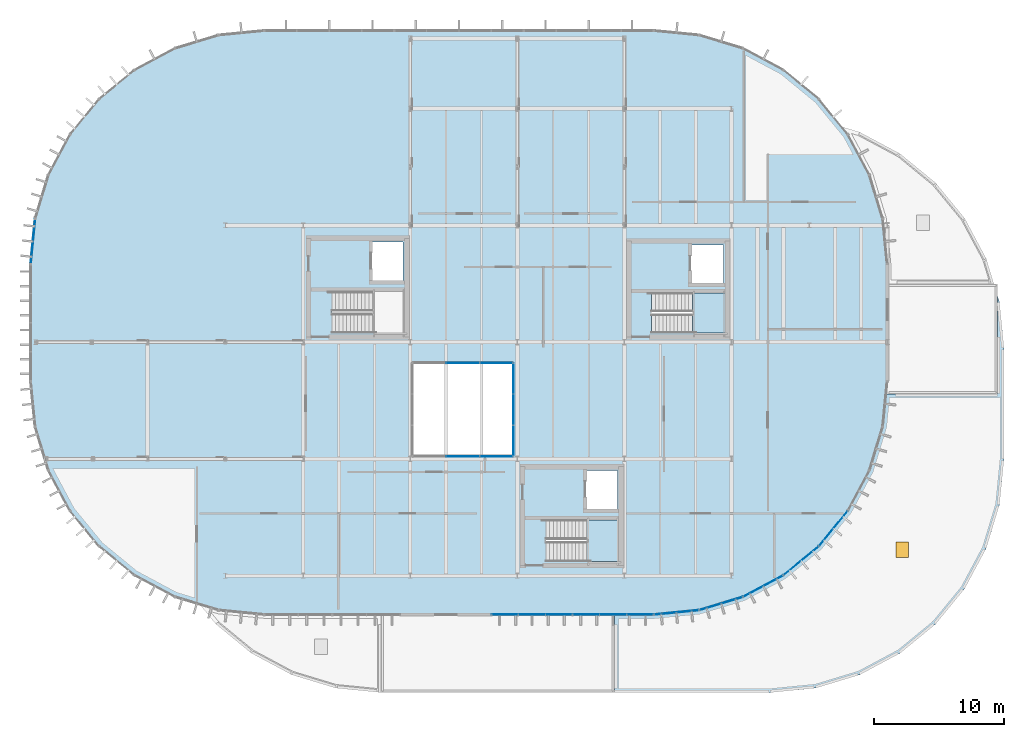
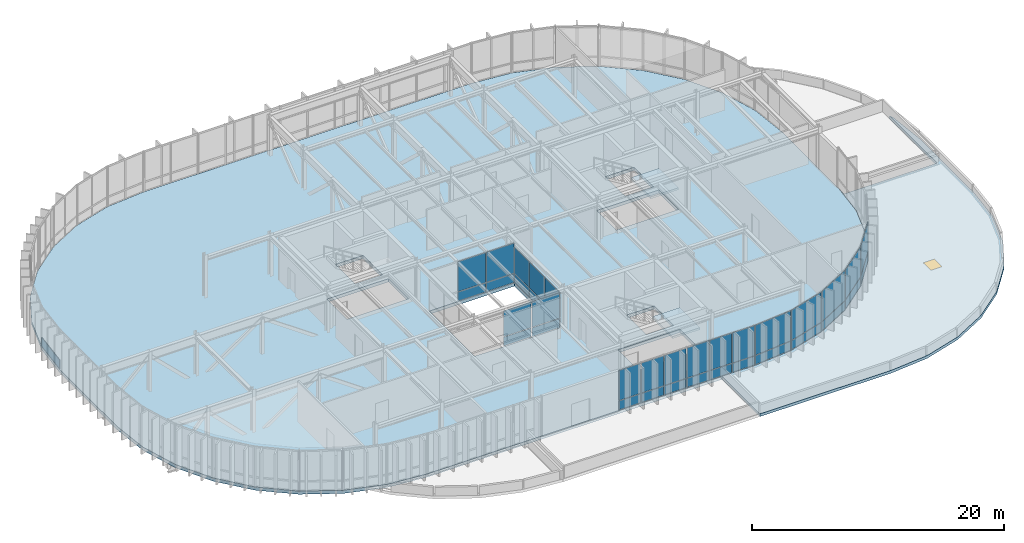
# One storey, part 17 of 29: 37 plates, 4 slabs, 1 door, 7 openings, 14 elements without a shape of their own.
"""IFC4 building model written with IfcOpenShell, lengths in metres."""

from ifc_helpers import new_model, si_unit, direction, frame, origin, origin_2d, place, context, subcontext, project, spatial, polyline, rectangle, outline, extrude, material, layer, layer_set, type_object, element, fill, aggregate, save


model = new_model("IFC4")

# Units and contexts
model_context = context("Model", 3, precision=1e-05, world=origin(), true_north=direction((0.0, 1.0)))
body_context = subcontext(model_context, "Body", "Model", "MODEL_VIEW")
ifc_project = project(units=[si_unit("LENGTHUNIT", "METRE"), si_unit("AREAUNIT", "SQUARE_METRE"), si_unit("VOLUMEUNIT", "CUBIC_METRE"), si_unit("PLANEANGLEUNIT", "RADIAN"), si_unit("MASSUNIT", "GRAM", prefix="KILO")], contexts=[model_context])

# Site, building, storey
site_placement = place(None, origin())
site = spatial("IfcSite", under=ifc_project, at=site_placement, CompositionType="ELEMENT")
building_placement = place(site_placement, origin())
building = spatial("IfcBuilding", under=site, at=building_placement, Name="Montealbar Specialist Clinic", CompositionType="ELEMENT")
storey_placement = place(building_placement, frame((0.0, 0.0, 22.199951171875)))
storey = spatial("IfcBuildingStorey", under=building, at=storey_placement, Name="L05", CompositionType="ELEMENT", Elevation=22.199951171875)

# Curtain wall, plates
ifc_material_1 = material(Name="Low-E double glazing", Category="glass")
ifc_layer_1 = layer(ifc_material_1, 0.199951171875, Name="Low-E double glazing", Category="glass")
ifc_layer_set_1 = layer_set([ifc_layer_1], Name="Low-E double glazing")
curtain_wall_type_1 = type_object("IfcCurtainWallType", Name="CW-TYPE-26", PredefinedType="NOTDEFINED", material=ifc_layer_set_1)
curtain_wall_1_placement = place(storey_placement, origin())
curtain_wall_1 = element("IfcCurtainWall", 1, at=curtain_wall_1_placement, inside=storey, type_object=curtain_wall_type_1, Name="Unitised Curtain Wall CW-L05-744-182-822-182-222", PredefinedType="NOTDEFINED")
ifc_layer_2 = layer(ifc_material_1, 0.028076171875, Name="Low-E double glazing", Category="glass")
ifc_layer_set_2 = layer_set([ifc_layer_2], Name="Low-E double glazing")
plate_type_1 = type_object("IfcPlateType", Name="CW-PNL-IGU28", PredefinedType="CURTAIN_PANEL", material=ifc_layer_set_2)
plate_1_placement = place(storey_placement, frame((78.300048828125, 18.199951171875, 0.070068359375), z_axis=(0.0, 0.0, 1.0), x_axis=(1.0, 0.0, 0.0)))
plate_1 = element("IfcPlate", 2, at=plate_1_placement, type_object=plate_type_1, Name="Glazed Curtain Panel CW-L05-744-182-822-182-222-2-1", PredefinedType="CURTAIN_PANEL", context=body_context, shape_type="SweptSolid", body=[
    extrude(rectangle(XDim=2.528076171875, YDim=0.028076171875, at=origin_2d()), origin(), (0.0, 0.0, 1.0), 0.85009765625),
])
plate_2_placement = place(storey_placement, frame((78.300048828125, 18.199951171875, 0.97998046875), z_axis=(0.0, 0.0, 1.0), x_axis=(1.0, 0.0, 0.0)))
plate_2 = element("IfcPlate", 3, at=plate_2_placement, type_object=plate_type_1, Name="Glazed Curtain Panel CW-L05-744-182-822-182-222-2-2", PredefinedType="CURTAIN_PANEL", context=body_context, shape_type="SweptSolid", body=[
    extrude(rectangle(XDim=2.528076171875, YDim=0.028076171875, at=origin_2d()), origin(), (0.0, 0.0, 1.0), 2.489990234375),
])
plate_3_placement = place(storey_placement, frame((80.89990234375, 18.199951171875, 0.070068359375), z_axis=(0.0, 0.0, 1.0), x_axis=(1.0, 0.0, 0.0)))
plate_3 = element("IfcPlate", 4, at=plate_3_placement, type_object=plate_type_1, Name="Glazed Curtain Panel CW-L05-744-182-822-182-222-3-1", PredefinedType="CURTAIN_PANEL", context=body_context, shape_type="SweptSolid", body=[
    extrude(rectangle(XDim=2.528076171875, YDim=0.028076171875, at=origin_2d()), origin(), (0.0, 0.0, 1.0), 0.85009765625),
])
plate_4_placement = place(storey_placement, frame((80.89990234375, 18.199951171875, 0.97998046875), z_axis=(0.0, 0.0, 1.0), x_axis=(1.0, 0.0, 0.0)))
plate_4 = element("IfcPlate", 5, at=plate_4_placement, type_object=plate_type_1, Name="Glazed Curtain Panel CW-L05-744-182-822-182-222-3-2", PredefinedType="CURTAIN_PANEL", context=body_context, shape_type="SweptSolid", body=[
    extrude(rectangle(XDim=2.528076171875, YDim=0.028076171875, at=origin_2d()), origin(), (0.0, 0.0, 1.0), 2.489990234375),
])
aggregate(curtain_wall_1, [plate_1, plate_2, plate_3, plate_4])

ifc_layer_3 = layer(ifc_material_1, 0.199951171875, Name="Low-E double glazing", Category="glass")
ifc_layer_set_3 = layer_set([ifc_layer_3], Name="Low-E double glazing")
curtain_wall_type_2 = type_object("IfcCurtainWallType", Name="CW-TYPE-41", PredefinedType="NOTDEFINED", material=ifc_layer_set_3)
curtain_wall_2_placement = place(storey_placement, origin())
curtain_wall_2 = element("IfcCurtainWall", 6, at=curtain_wall_2_placement, inside=storey, type_object=curtain_wall_type_2, Name="Unitised Curtain Wall CW-L05-822-182-822-254-222", PredefinedType="NOTDEFINED")
plate_5_placement = place(storey_placement, frame((82.199951171875, 19.39990234375, 0.070068359375), z_axis=(0.0, 0.0, 1.0), x_axis=(0.0, 1.0, 0.0)))
plate_5 = element("IfcPlate", 7, at=plate_5_placement, type_object=plate_type_1, Name="Glazed Curtain Panel CW-L05-822-182-822-254-222-1-1", PredefinedType="CURTAIN_PANEL", context=body_context, shape_type="SweptSolid", body=[
    extrude(rectangle(XDim=2.327880859375, YDim=0.028076171875, at=origin_2d()), origin(), (0.0, 0.0, 1.0), 0.85009765625),
])
plate_6_placement = place(storey_placement, frame((82.199951171875, 19.39990234375, 0.97998046875), z_axis=(0.0, 0.0, 1.0), x_axis=(0.0, 1.0, 0.0)))
plate_6 = element("IfcPlate", 8, at=plate_6_placement, type_object=plate_type_1, Name="Glazed Curtain Panel CW-L05-822-182-822-254-222-1-2", PredefinedType="CURTAIN_PANEL", context=body_context, shape_type="SweptSolid", body=[
    extrude(rectangle(XDim=2.327880859375, YDim=0.028076171875, at=origin_2d()), origin(), (0.0, 0.0, 1.0), 2.47998046875),
])
plate_7_placement = place(storey_placement, frame((82.199951171875, 21.800048828125, 0.070068359375), z_axis=(0.0, 0.0, 1.0), x_axis=(0.0, 1.0, 0.0)))
plate_7 = element("IfcPlate", 9, at=plate_7_placement, type_object=plate_type_1, Name="Glazed Curtain Panel CW-L05-822-182-822-254-222-2-1", PredefinedType="CURTAIN_PANEL", context=body_context, shape_type="SweptSolid", body=[
    extrude(rectangle(XDim=2.327880859375, YDim=0.028076171875, at=origin_2d()), origin(), (0.0, 0.0, 1.0), 0.85009765625),
])
plate_8_placement = place(storey_placement, frame((82.199951171875, 21.800048828125, 0.97998046875), z_axis=(0.0, 0.0, 1.0), x_axis=(0.0, 1.0, 0.0)))
plate_8 = element("IfcPlate", 10, at=plate_8_placement, type_object=plate_type_1, Name="Glazed Curtain Panel CW-L05-822-182-822-254-222-2-2", PredefinedType="CURTAIN_PANEL", context=body_context, shape_type="SweptSolid", body=[
    extrude(rectangle(XDim=2.327880859375, YDim=0.028076171875, at=origin_2d()), origin(), (0.0, 0.0, 1.0), 2.47998046875),
])
plate_9_placement = place(storey_placement, frame((82.199951171875, 24.199951171875, 0.070068359375), z_axis=(0.0, 0.0, 1.0), x_axis=(0.0, 1.0, 0.0)))
plate_9 = element("IfcPlate", 11, at=plate_9_placement, type_object=plate_type_1, Name="Glazed Curtain Panel CW-L05-822-182-822-254-222-3-1", PredefinedType="CURTAIN_PANEL", context=body_context, shape_type="SweptSolid", body=[
    extrude(rectangle(XDim=2.327880859375, YDim=0.028076171875, at=origin_2d()), origin(), (0.0, 0.0, 1.0), 0.85009765625),
])
plate_10_placement = place(storey_placement, frame((82.199951171875, 24.199951171875, 0.97998046875), z_axis=(0.0, 0.0, 1.0), x_axis=(0.0, 1.0, 0.0)))
plate_10 = element("IfcPlate", 12, at=plate_10_placement, type_object=plate_type_1, Name="Glazed Curtain Panel CW-L05-822-182-822-254-222-3-2", PredefinedType="CURTAIN_PANEL", context=body_context, shape_type="SweptSolid", body=[
    extrude(rectangle(XDim=2.327880859375, YDim=0.028076171875, at=origin_2d()), origin(), (0.0, 0.0, 1.0), 2.47998046875),
])
aggregate(curtain_wall_2, [plate_5, plate_6, plate_7, plate_8, plate_9, plate_10])

ifc_layer_4 = layer(ifc_material_1, 0.199951171875, Name="Low-E double glazing", Category="glass")
ifc_layer_set_4 = layer_set([ifc_layer_4], Name="Low-E double glazing")
curtain_wall_type_3 = type_object("IfcCurtainWallType", Name="CW-TYPE-25", PredefinedType="NOTDEFINED", material=ifc_layer_set_4)
curtain_wall_3_placement = place(storey_placement, origin())
curtain_wall_3 = element("IfcCurtainWall", 13, at=curtain_wall_3_placement, inside=storey, type_object=curtain_wall_type_3, Name="Unitised Curtain Wall CW-L05-822-254-744-254-222", PredefinedType="NOTDEFINED")
plate_11_placement = place(storey_placement, frame((80.89990234375, 25.39990234375, 0.070068359375), z_axis=(0.0, 0.0, 1.0), x_axis=(-1.0, 0.0, 0.0)))
plate_11 = element("IfcPlate", 14, at=plate_11_placement, type_object=plate_type_1, Name="Glazed Curtain Panel CW-L05-822-254-744-254-222-1-1", PredefinedType="CURTAIN_PANEL", context=body_context, shape_type="SweptSolid", body=[
    extrude(rectangle(XDim=2.528076171875, YDim=0.028076171875, at=origin_2d()), origin(), (0.0, 0.0, 1.0), 0.85009765625),
])
plate_12_placement = place(storey_placement, frame((80.89990234375, 25.39990234375, 0.97998046875), z_axis=(0.0, 0.0, 1.0), x_axis=(-1.0, 0.0, 0.0)))
plate_12 = element("IfcPlate", 15, at=plate_12_placement, type_object=plate_type_1, Name="Glazed Curtain Panel CW-L05-822-254-744-254-222-1-2", PredefinedType="CURTAIN_PANEL", context=body_context, shape_type="SweptSolid", body=[
    extrude(rectangle(XDim=2.528076171875, YDim=0.028076171875, at=origin_2d()), origin(), (0.0, 0.0, 1.0), 2.889892578125),
])
plate_13_placement = place(storey_placement, frame((78.300048828125, 25.39990234375, 0.070068359375), z_axis=(0.0, 0.0, 1.0), x_axis=(-1.0, 0.0, 0.0)))
plate_13 = element("IfcPlate", 16, at=plate_13_placement, type_object=plate_type_1, Name="Glazed Curtain Panel CW-L05-822-254-744-254-222-2-1", PredefinedType="CURTAIN_PANEL", context=body_context, shape_type="SweptSolid", body=[
    extrude(rectangle(XDim=2.528076171875, YDim=0.028076171875, at=origin_2d()), origin(), (0.0, 0.0, 1.0), 0.85009765625),
])
plate_14_placement = place(storey_placement, frame((78.300048828125, 25.39990234375, 0.97998046875), z_axis=(0.0, 0.0, 1.0), x_axis=(-1.0, 0.0, 0.0)))
plate_14 = element("IfcPlate", 17, at=plate_14_placement, type_object=plate_type_1, Name="Glazed Curtain Panel CW-L05-822-254-744-254-222-2-2", PredefinedType="CURTAIN_PANEL", context=body_context, shape_type="SweptSolid", body=[
    extrude(rectangle(XDim=2.528076171875, YDim=0.028076171875, at=origin_2d()), origin(), (0.0, 0.0, 1.0), 2.889892578125),
])
aggregate(curtain_wall_3, [plate_11, plate_12, plate_13, plate_14])

# Curtain wall, plate
ifc_layer_5 = layer(ifc_material_1, 0.199951171875, Name="Low-E double glazing", Category="glass")
ifc_layer_set_5 = layer_set([ifc_layer_5], Name="Low-E double glazing")
curtain_wall_type_4 = type_object("IfcCurtainWallType", Name="CW-TYPE-19", PredefinedType="NOTDEFINED", material=ifc_layer_set_5)
curtain_wall_4_placement = place(storey_placement, origin())
curtain_wall_4 = element("IfcCurtainWall", 18, at=curtain_wall_4_placement, inside=storey, type_object=curtain_wall_type_4, Name="Unitised Curtain Wall CW-L05-450-330-453-365-222", PredefinedType="NOTDEFINED")
ifc_layer_6 = layer(ifc_material_1, 0.0380859375, Name="Low-E double glazing", Category="glass")
ifc_layer_set_6 = layer_set([ifc_layer_6], Name="Low-E double glazing")
plate_type_2 = type_object("IfcPlateType", Name="CW-PNL-IGU38", PredefinedType="CURTAIN_PANEL", material=ifc_layer_set_6)
plate_15_placement = place(storey_placement, frame((45.173095703125, 34.756103515625, 0.070068359375), z_axis=(0.0, 0.0, 1.0), x_axis=(0.098044697094, 0.995182012183, 0.0)))
plate_15 = element("IfcPlate", 19, at=plate_15_placement, type_object=plate_type_2, Name="Glazed Curtain Panel CW-L05-450-330-453-365-222-1-1", PredefinedType="CURTAIN_PANEL", context=body_context, shape_type="SweptSolid", body=[
    extrude(rectangle(XDim=3.445068359375, YDim=0.0380859375, at=origin_2d()), origin(), (0.0, 0.0, 1.0), 0.85009765625),
])
aggregate(curtain_wall_4, [plate_15])

# Curtain wall, plates
curtain_wall_5_placement = place(storey_placement, origin())
curtain_wall_5 = element("IfcCurtainWall", 20, at=curtain_wall_5_placement, inside=storey, type_object=curtain_wall_type_4, Name="Unitised Curtain Wall CW-L05-1080-140-1057-113-222", PredefinedType="NOTDEFINED")
plate_16_placement = place(storey_placement, frame((106.846923828125, 12.635986328125, 0.070068359375), z_axis=(0.0, 0.0, 1.0), x_axis=(-0.634255808922, -0.773123255923, 0.0)))
plate_16 = element("IfcPlate", 21, at=plate_16_placement, type_object=plate_type_2, Name="Glazed Curtain Panel CW-L05-1080-140-1057-113-222-1-1", PredefinedType="CURTAIN_PANEL", context=body_context, shape_type="SweptSolid", body=[
    extrude(rectangle(XDim=3.445068359375, YDim=0.0380859375, at=origin_2d()), origin(), (0.0, 0.0, 1.0), 0.85009765625),
])
plate_17_placement = place(storey_placement, frame((106.846923828125, 12.635986328125, 0.97998046875), z_axis=(0.0, 0.0, 1.0), x_axis=(-0.634255808922, -0.773123255923, 0.0)))
plate_17 = element("IfcPlate", 22, at=plate_17_placement, type_object=plate_type_2, Name="Glazed Curtain Panel CW-L05-1080-140-1057-113-222-1-2", PredefinedType="CURTAIN_PANEL", context=body_context, shape_type="SweptSolid", body=[
    extrude(rectangle(XDim=3.445068359375, YDim=0.0380859375, at=origin_2d()), origin(), (0.0, 0.0, 1.0), 2.889892578125),
])
aggregate(curtain_wall_5, [plate_16, plate_17])

curtain_wall_6_placement = place(storey_placement, origin())
curtain_wall_6 = element("IfcCurtainWall", 23, at=curtain_wall_6_placement, inside=storey, type_object=curtain_wall_type_4, Name="Unitised Curtain Wall CW-L05-1057-113-1030-90-222", PredefinedType="NOTDEFINED")
plate_18_placement = place(storey_placement, frame((104.364013671875, 10.153076171875, 0.070068359375), z_axis=(0.0, 0.0, 1.0), x_axis=(-0.773123255923, -0.634255808922, 0.0)))
plate_18 = element("IfcPlate", 24, at=plate_18_placement, type_object=plate_type_2, Name="Glazed Curtain Panel CW-L05-1057-113-1030-90-222-1-1", PredefinedType="CURTAIN_PANEL", context=body_context, shape_type="SweptSolid", body=[
    extrude(rectangle(XDim=3.445068359375, YDim=0.0380859375, at=origin_2d()), origin(), (0.0, 0.0, 1.0), 0.85009765625),
])
plate_19_placement = place(storey_placement, frame((104.364013671875, 10.153076171875, 0.97998046875), z_axis=(0.0, 0.0, 1.0), x_axis=(-0.773123255923, -0.634255808922, 0.0)))
plate_19 = element("IfcPlate", 25, at=plate_19_placement, type_object=plate_type_2, Name="Glazed Curtain Panel CW-L05-1057-113-1030-90-222-1-2", PredefinedType="CURTAIN_PANEL", context=body_context, shape_type="SweptSolid", body=[
    extrude(rectangle(XDim=3.445068359375, YDim=0.0380859375, at=origin_2d()), origin(), (0.0, 0.0, 1.0), 2.889892578125),
])
aggregate(curtain_wall_6, [plate_18, plate_19])

curtain_wall_7_placement = place(storey_placement, origin())
curtain_wall_7 = element("IfcCurtainWall", 26, at=curtain_wall_7_placement, inside=storey, type_object=curtain_wall_type_4, Name="Unitised Curtain Wall CW-L05-1030-90-999-74-222", PredefinedType="NOTDEFINED")
plate_20_placement = place(storey_placement, frame((101.444091796875, 8.201904296875, 0.070068359375), z_axis=(0.0, 0.0, 1.0), x_axis=(-0.881850411644, -0.471529268958, 0.0)))
plate_20 = element("IfcPlate", 27, at=plate_20_placement, type_object=plate_type_2, Name="Glazed Curtain Panel CW-L05-1030-90-999-74-222-1-1", PredefinedType="CURTAIN_PANEL", context=body_context, shape_type="SweptSolid", body=[
    extrude(rectangle(XDim=3.445068359375, YDim=0.0380859375, at=origin_2d()), origin(), (0.0, 0.0, 1.0), 0.85009765625),
])
plate_21_placement = place(storey_placement, frame((101.444091796875, 8.201904296875, 0.97998046875), z_axis=(0.0, 0.0, 1.0), x_axis=(-0.881850411644, -0.471529268958, 0.0)))
plate_21 = element("IfcPlate", 28, at=plate_21_placement, type_object=plate_type_2, Name="Glazed Curtain Panel CW-L05-1030-90-999-74-222-1-2", PredefinedType="CURTAIN_PANEL", context=body_context, shape_type="SweptSolid", body=[
    extrude(rectangle(XDim=3.445068359375, YDim=0.0380859375, at=origin_2d()), origin(), (0.0, 0.0, 1.0), 2.889892578125),
])
aggregate(curtain_wall_7, [plate_20, plate_21])

curtain_wall_8_placement = place(storey_placement, origin())
curtain_wall_8 = element("IfcCurtainWall", 29, at=curtain_wall_8_placement, inside=storey, type_object=curtain_wall_type_4, Name="Unitised Curtain Wall CW-L05-999-74-965-63-222", PredefinedType="NOTDEFINED")
plate_22_placement = place(storey_placement, frame((98.199951171875, 6.85791015625, 0.070068359375), z_axis=(0.0, 0.0, 1.0), x_axis=(-0.956948083701, -0.290259134399, 0.0)))
plate_22 = element("IfcPlate", 30, at=plate_22_placement, type_object=plate_type_2, Name="Glazed Curtain Panel CW-L05-999-74-965-63-222-1-1", PredefinedType="CURTAIN_PANEL", context=body_context, shape_type="SweptSolid", body=[
    extrude(rectangle(XDim=3.444091796875, YDim=0.0380859375, at=origin_2d()), origin(), (0.0, 0.0, 1.0), 0.85009765625),
])
plate_23_placement = place(storey_placement, frame((98.199951171875, 6.85791015625, 0.97998046875), z_axis=(0.0, 0.0, 1.0), x_axis=(-0.956948083701, -0.290259134399, 0.0)))
plate_23 = element("IfcPlate", 31, at=plate_23_placement, type_object=plate_type_2, Name="Glazed Curtain Panel CW-L05-999-74-965-63-222-1-2", PredefinedType="CURTAIN_PANEL", context=body_context, shape_type="SweptSolid", body=[
    extrude(rectangle(XDim=3.444091796875, YDim=0.0380859375, at=origin_2d()), origin(), (0.0, 0.0, 1.0), 2.889892578125),
])
aggregate(curtain_wall_8, [plate_22, plate_23])

curtain_wall_9_placement = place(storey_placement, origin())
curtain_wall_9 = element("IfcCurtainWall", 32, at=curtain_wall_9_placement, inside=storey, type_object=curtain_wall_type_4, Name="Unitised Curtain Wall CW-L05-965-63-930-60-222", PredefinedType="NOTDEFINED")
plate_24_placement = place(storey_placement, frame((94.756103515625, 6.173095703125, 0.070068359375), z_axis=(0.0, 0.0, 1.0), x_axis=(-0.995182012183, -0.098044697094, 0.0)))
plate_24 = element("IfcPlate", 33, at=plate_24_placement, type_object=plate_type_2, Name="Glazed Curtain Panel CW-L05-965-63-930-60-222-1-1", PredefinedType="CURTAIN_PANEL", context=body_context, shape_type="SweptSolid", body=[
    extrude(rectangle(XDim=3.445068359375, YDim=0.0380859375, at=origin_2d()), origin(), (0.0, 0.0, 1.0), 0.85009765625),
])
plate_25_placement = place(storey_placement, frame((94.756103515625, 6.173095703125, 0.97998046875), z_axis=(0.0, 0.0, 1.0), x_axis=(-0.995182012183, -0.098044697094, 0.0)))
plate_25 = element("IfcPlate", 34, at=plate_25_placement, type_object=plate_type_2, Name="Glazed Curtain Panel CW-L05-965-63-930-60-222-1-2", PredefinedType="CURTAIN_PANEL", context=body_context, shape_type="SweptSolid", body=[
    extrude(rectangle(XDim=3.445068359375, YDim=0.0380859375, at=origin_2d()), origin(), (0.0, 0.0, 1.0), 2.889892578125),
])
aggregate(curtain_wall_9, [plate_24, plate_25])

ifc_layer_7 = layer(ifc_material_1, 0.199951171875, Name="Low-E double glazing", Category="glass")
ifc_layer_set_7 = layer_set([ifc_layer_7], Name="Low-E double glazing")
curtain_wall_type_5 = type_object("IfcCurtainWallType", Name="CW-TYPE-40", PredefinedType="NOTDEFINED", material=ifc_layer_set_7)
curtain_wall_10_placement = place(storey_placement, origin())
curtain_wall_10 = element("IfcCurtainWall", 35, at=curtain_wall_10_placement, inside=storey, type_object=curtain_wall_type_5, Name="Unitised Curtain Wall CW-L05-805-60-868-60-222", PredefinedType="NOTDEFINED")
plate_26_placement = place(storey_placement, frame((81.5419921875, 6.0, 0.070068359375), z_axis=(0.0, 0.0, 1.0), x_axis=(1.0, 0.0, 0.0)))
plate_26 = element("IfcPlate", 36, at=plate_26_placement, type_object=plate_type_2, Name="Glazed Curtain Panel CW-L05-805-60-868-60-222-1-1", PredefinedType="CURTAIN_PANEL", context=body_context, shape_type="SweptSolid", body=[
    extrude(rectangle(XDim=1.9990234375, YDim=0.0380859375, at=origin_2d()), origin(), (0.0, 0.0, 1.0), 0.85009765625),
])
plate_27_placement = place(storey_placement, frame((81.5419921875, 6.0, 0.97998046875), z_axis=(0.0, 0.0, 1.0), x_axis=(1.0, 0.0, 0.0)))
plate_27 = element("IfcPlate", 37, at=plate_27_placement, type_object=plate_type_2, Name="Glazed Curtain Panel CW-L05-805-60-868-60-222-1-2", PredefinedType="CURTAIN_PANEL", context=body_context, shape_type="SweptSolid", body=[
    extrude(rectangle(XDim=1.9990234375, YDim=0.0380859375, at=origin_2d()), origin(), (0.0, 0.0, 1.0), 2.889892578125),
])
plate_28_placement = place(storey_placement, frame((83.625, 6.0, 0.070068359375), z_axis=(0.0, 0.0, 1.0), x_axis=(1.0, 0.0, 0.0)))
plate_28 = element("IfcPlate", 38, at=plate_28_placement, type_object=plate_type_2, Name="Glazed Curtain Panel CW-L05-805-60-868-60-222-2-1", PredefinedType="CURTAIN_PANEL", context=body_context, shape_type="SweptSolid", body=[
    extrude(rectangle(XDim=1.9990234375, YDim=0.0380859375, at=origin_2d()), origin(), (0.0, 0.0, 1.0), 0.85009765625),
])
plate_29_placement = place(storey_placement, frame((83.625, 6.0, 0.97998046875), z_axis=(0.0, 0.0, 1.0), x_axis=(1.0, 0.0, 0.0)))
plate_29 = element("IfcPlate", 39, at=plate_29_placement, type_object=plate_type_2, Name="Glazed Curtain Panel CW-L05-805-60-868-60-222-2-2", PredefinedType="CURTAIN_PANEL", context=body_context, shape_type="SweptSolid", body=[
    extrude(rectangle(XDim=1.9990234375, YDim=0.0380859375, at=origin_2d()), origin(), (0.0, 0.0, 1.0), 2.889892578125),
])
plate_30_placement = place(storey_placement, frame((85.7080078125, 6.0, 0.070068359375), z_axis=(0.0, 0.0, 1.0), x_axis=(1.0, 0.0, 0.0)))
plate_30 = element("IfcPlate", 40, at=plate_30_placement, type_object=plate_type_2, Name="Glazed Curtain Panel CW-L05-805-60-868-60-222-3-1", PredefinedType="CURTAIN_PANEL", context=body_context, shape_type="SweptSolid", body=[
    extrude(rectangle(XDim=1.9990234375, YDim=0.0380859375, at=origin_2d()), origin(), (0.0, 0.0, 1.0), 0.85009765625),
])
plate_31_placement = place(storey_placement, frame((85.7080078125, 6.0, 0.97998046875), z_axis=(0.0, 0.0, 1.0), x_axis=(1.0, 0.0, 0.0)))
plate_31 = element("IfcPlate", 41, at=plate_31_placement, type_object=plate_type_2, Name="Glazed Curtain Panel CW-L05-805-60-868-60-222-3-2", PredefinedType="CURTAIN_PANEL", context=body_context, shape_type="SweptSolid", body=[
    extrude(rectangle(XDim=1.9990234375, YDim=0.0380859375, at=origin_2d()), origin(), (0.0, 0.0, 1.0), 2.889892578125),
])
aggregate(curtain_wall_10, [plate_26, plate_27, plate_28, plate_29, plate_30, plate_31])

curtain_wall_11_placement = place(storey_placement, origin())
curtain_wall_11 = element("IfcCurtainWall", 42, at=curtain_wall_11_placement, inside=storey, type_object=curtain_wall_type_5, Name="Unitised Curtain Wall CW-L05-868-60-930-60-222", PredefinedType="NOTDEFINED")
plate_32_placement = place(storey_placement, frame((87.7919921875, 6.0, 0.070068359375), z_axis=(0.0, 0.0, 1.0), x_axis=(1.0, 0.0, 0.0)))
plate_32 = element("IfcPlate", 43, at=plate_32_placement, type_object=plate_type_2, Name="Glazed Curtain Panel CW-L05-868-60-930-60-222-1-1", PredefinedType="CURTAIN_PANEL", context=body_context, shape_type="SweptSolid", body=[
    extrude(rectangle(XDim=1.9990234375, YDim=0.0380859375, at=origin_2d()), origin(), (0.0, 0.0, 1.0), 0.85009765625),
])
plate_33_placement = place(storey_placement, frame((87.7919921875, 6.0, 0.97998046875), z_axis=(0.0, 0.0, 1.0), x_axis=(1.0, 0.0, 0.0)))
plate_33 = element("IfcPlate", 44, at=plate_33_placement, type_object=plate_type_2, Name="Glazed Curtain Panel CW-L05-868-60-930-60-222-1-2", PredefinedType="CURTAIN_PANEL", context=body_context, shape_type="SweptSolid", body=[
    extrude(rectangle(XDim=1.9990234375, YDim=0.0380859375, at=origin_2d()), origin(), (0.0, 0.0, 1.0), 2.889892578125),
])
plate_34_placement = place(storey_placement, frame((89.875, 6.0, 0.070068359375), z_axis=(0.0, 0.0, 1.0), x_axis=(1.0, 0.0, 0.0)))
plate_34 = element("IfcPlate", 45, at=plate_34_placement, type_object=plate_type_2, Name="Glazed Curtain Panel CW-L05-868-60-930-60-222-2-1", PredefinedType="CURTAIN_PANEL", context=body_context, shape_type="SweptSolid", body=[
    extrude(rectangle(XDim=1.9990234375, YDim=0.0380859375, at=origin_2d()), origin(), (0.0, 0.0, 1.0), 0.85009765625),
])
plate_35_placement = place(storey_placement, frame((89.875, 6.0, 0.97998046875), z_axis=(0.0, 0.0, 1.0), x_axis=(1.0, 0.0, 0.0)))
plate_35 = element("IfcPlate", 46, at=plate_35_placement, type_object=plate_type_2, Name="Glazed Curtain Panel CW-L05-868-60-930-60-222-2-2", PredefinedType="CURTAIN_PANEL", context=body_context, shape_type="SweptSolid", body=[
    extrude(rectangle(XDim=1.9990234375, YDim=0.0380859375, at=origin_2d()), origin(), (0.0, 0.0, 1.0), 2.889892578125),
])
plate_36_placement = place(storey_placement, frame((91.9580078125, 6.0, 0.070068359375), z_axis=(0.0, 0.0, 1.0), x_axis=(1.0, 0.0, 0.0)))
plate_36 = element("IfcPlate", 47, at=plate_36_placement, type_object=plate_type_2, Name="Glazed Curtain Panel CW-L05-868-60-930-60-222-3-1", PredefinedType="CURTAIN_PANEL", context=body_context, shape_type="SweptSolid", body=[
    extrude(rectangle(XDim=1.9990234375, YDim=0.0380859375, at=origin_2d()), origin(), (0.0, 0.0, 1.0), 0.85009765625),
])
plate_37_placement = place(storey_placement, frame((91.9580078125, 6.0, 0.97998046875), z_axis=(0.0, 0.0, 1.0), x_axis=(1.0, 0.0, 0.0)))
plate_37 = element("IfcPlate", 48, at=plate_37_placement, type_object=plate_type_2, Name="Glazed Curtain Panel CW-L05-868-60-930-60-222-3-2", PredefinedType="CURTAIN_PANEL", context=body_context, shape_type="SweptSolid", body=[
    extrude(rectangle(XDim=1.9990234375, YDim=0.0380859375, at=origin_2d()), origin(), (0.0, 0.0, 1.0), 2.889892578125),
])
aggregate(curtain_wall_11, [plate_32, plate_33, plate_34, plate_35, plate_36, plate_37])

# Slab, openings
ifc_material_2 = material(Name="Concrete C35/45", Category="concrete")
ifc_layer_8 = layer(ifc_material_2, 0.31005859375, Name="Concrete C35/45", Category="concrete")
ifc_layer_set_8 = layer_set([ifc_layer_8], Name="Concrete C35/45")
slab_type_1 = type_object("IfcSlabType", Name="SL-FLR-260", PredefinedType="FLOOR", material=ifc_layer_set_8)
slab_1_placement = place(storey_placement, frame((0.0, 0.0, -0.31005859375)))
slab_1 = element("IfcSlab", 49, at=slab_1_placement, inside=storey, type_object=slab_type_1, Name="Structural Slab L05 Wing 1", PredefinedType="FLOOR", context=body_context, shape_type="SweptSolid", body=[
    extrude(outline(polyline([(45.0, 33.0), (45.345947265625, 36.511962890625), (46.3701171875, 39.887939453125), (48.033935546875, 43.0), (50.27197265625, 45.72802734375), (53.0, 47.966064453125), (56.112060546875, 49.6298828125), (59.488037109375, 50.654052734375), (63.0, 51.0), (93.0, 51.0), (96.511962890625, 50.654052734375), (99.887939453125, 49.6298828125), (103.0, 47.966064453125), (105.72802734375, 45.72802734375), (107.966064453125, 43.0), (109.6298828125, 39.887939453125), (110.654052734375, 36.511962890625), (111.0, 33.0), (111.0, 24.0), (110.654052734375, 20.488037109375), (109.6298828125, 17.112060546875), (107.966064453125, 14.0), (105.72802734375, 11.27197265625), (103.0, 9.033935546875), (99.887939453125, 7.3701171875), (96.511962890625, 6.345947265625), (93.0, 6.0), (63.0, 6.0), (59.488037109375, 6.345947265625), (56.112060546875, 7.3701171875), (53.0, 9.033935546875), (50.27197265625, 11.27197265625), (48.033935546875, 14.0), (46.3701171875, 17.112060546875), (45.345947265625, 20.488037109375), (45.0, 24.0), (45.0, 33.0)]), holes=[polyline([(82.199951171875, 18.199951171875), (82.199951171875, 25.39990234375), (74.39990234375, 25.39990234375), (74.39990234375, 18.199951171875), (82.199951171875, 18.199951171875)]), polyline([(84.699951171875, 10.10009765625), (90.35009765625, 10.10009765625), (90.35009765625, 13.300048828125), (84.699951171875, 13.300048828125), (84.699951171875, 10.10009765625)]), polyline([(87.697998046875, 17.10205078125), (87.697998046875, 13.998046875), (90.201904296875, 13.998046875), (90.201904296875, 17.10205078125), (87.697998046875, 17.10205078125)]), polyline([(92.85009765625, 30.800048828125), (92.85009765625, 27.699951171875), (98.550048828125, 27.699951171875), (98.550048828125, 30.800048828125), (92.85009765625, 30.800048828125)]), polyline([(68.199951171875, 27.699951171875), (73.85009765625, 27.699951171875), (73.85009765625, 30.89990234375), (68.199951171875, 30.89990234375), (68.199951171875, 27.699951171875)]), polyline([(95.798095703125, 34.501953125), (95.798095703125, 31.39794921875), (98.402099609375, 31.39794921875), (98.402099609375, 34.501953125), (95.798095703125, 34.501953125)]), polyline([(71.197998046875, 34.701904296875), (71.197998046875, 31.597900390625), (73.701904296875, 31.597900390625), (73.701904296875, 34.701904296875), (71.197998046875, 34.701904296875)])]), origin(), (0.0, 0.0, 1.0), 0.31005859375),
])
opening_1_placement = place(slab_1_placement, frame((71.02490234375, 29.2998046875, -0.010009765625)))
element("IfcOpeningElement", 50, at=opening_1_placement, cuts=slab_1, Name="Opening STAIRVOID-C3-L05-1", PredefinedType="OPENING", context=body_context, shape_type="SweptSolid", body=[
    extrude(rectangle(XDim=5.646240234375, YDim=3.196044921875, at=origin_2d()), origin(), (0.0, 0.0, 1.0), 0.330078125),
])
opening_2_placement = place(slab_1_placement, frame((72.449951171875, 33.14990234375, -0.010009765625)))
element("IfcOpeningElement", 51, at=opening_2_placement, cuts=slab_1, Name="Opening LIFTSHAFT-FL-01-L05", PredefinedType="OPENING", context=body_context, shape_type="SweptSolid", body=[
    extrude(rectangle(XDim=2.5, YDim=3.10009765625, at=origin_2d()), origin(), (0.0, 0.0, 1.0), 0.330078125),
])
opening_3_placement = place(slab_1_placement, frame((87.52490234375, 11.7001953125, -0.010009765625)))
element("IfcOpeningElement", 52, at=opening_3_placement, cuts=slab_1, Name="Opening STAIRVOID-C4-L05-1", PredefinedType="OPENING", context=body_context, shape_type="SweptSolid", body=[
    extrude(rectangle(XDim=5.646240234375, YDim=3.196044921875, at=origin_2d()), origin(), (0.0, 0.0, 1.0), 0.330078125),
])
opening_4_placement = place(slab_1_placement, frame((88.949951171875, 15.550048828125, -0.010009765625)))
element("IfcOpeningElement", 53, at=opening_4_placement, cuts=slab_1, Name="Opening LIFTSHAFT-FL-02-L05", PredefinedType="OPENING", context=body_context, shape_type="SweptSolid", body=[
    extrude(rectangle(XDim=2.5, YDim=3.10009765625, at=origin_2d()), origin(), (0.0, 0.0, 1.0), 0.330078125),
])
opening_5_placement = place(slab_1_placement, frame((95.7001953125, 29.25, -0.010009765625)))
element("IfcOpeningElement", 54, at=opening_5_placement, cuts=slab_1, Name="Opening STAIRVOID-C5-L05-1", PredefinedType="OPENING", context=body_context, shape_type="SweptSolid", body=[
    extrude(rectangle(XDim=5.696044921875, YDim=3.09619140625, at=origin_2d()), origin(), (0.0, 0.0, 1.0), 0.330078125),
])
opening_6_placement = place(slab_1_placement, frame((97.10009765625, 32.949951171875, -0.010009765625)))
element("IfcOpeningElement", 55, at=opening_6_placement, cuts=slab_1, Name="Opening LIFTSHAFT-LF-03-L05", PredefinedType="OPENING", context=body_context, shape_type="SweptSolid", body=[
    extrude(rectangle(XDim=2.60009765625, YDim=3.10009765625, at=origin_2d()), origin(), (0.0, 0.0, 1.0), 0.330078125),
])

# Roof, slab, opening, door
ifc_material_3 = material(Name="Weatherproof roofing membrane", Category="concrete")
roof_type = type_object("IfcRoofType", Name="ROOF-CONT-FLAT", PredefinedType="FLAT_ROOF", material=ifc_material_3)
roof_placement = place(storey_placement, origin())
roof = element("IfcRoof", 56, at=roof_placement, inside=storey, type_object=roof_type, Name="Flat Roof Assembly ROOF-L05-01", PredefinedType="FLAT_ROOF")
ifc_layer_9 = layer(ifc_material_2, 0.27001953125, Name="Concrete C35/45", Category="concrete")
ifc_layer_set_9 = layer_set([ifc_layer_9], Name="Concrete C35/45")
slab_type_2 = type_object("IfcSlabType", Name="SL-ROOF-220", PredefinedType="ROOF", material=ifc_layer_set_9)
slab_2_placement = place(storey_placement, frame((0.0, 0.0, -0.27001953125)))
slab_2 = element("IfcSlab", 57, at=slab_2_placement, type_object=slab_type_2, Name="Roof Slab ROOF-L05-01", PredefinedType="ROOF", context=body_context, shape_type="SweptSolid", body=[
    extrude(outline(polyline([(120.0, 26.550048828125), (120.0, 18.0), (119.654052734375, 14.488037109375), (118.6298828125, 11.112060546875), (116.966064453125, 8.0), (114.72802734375, 5.27197265625), (112.0, 3.033935546875), (108.887939453125, 1.3701171875), (105.511962890625, 0.345947265625), (102.0, 0.0), (90.0, 0.0), (90.0, 6.0), (93.0, 6.0), (96.511962890625, 6.345947265625), (99.887939453125, 7.3701171875), (103.0, 9.033935546875), (105.72802734375, 11.27197265625), (107.966064453125, 14.0), (109.6298828125, 17.112060546875), (110.654052734375, 20.488037109375), (110.9970703125, 23.968994140625), (111.0, 23.0), (119.5, 23.0), (119.5, 30.56591796875), (119.654052734375, 30.06201171875), (120.0, 26.550048828125)]), holes=[polyline([(112.64990234375, 11.594970703125), (111.669921875, 11.594970703125), (111.669921875, 10.4150390625), (112.64990234375, 10.4150390625), (112.64990234375, 11.594970703125)])]), origin(), (0.0, 0.0, 1.0), 0.27001953125),
])
opening_7_placement = place(slab_2_placement, frame((112.159912109375, 11.0048828125, -0.010009765625)))
opening_7 = element("IfcOpeningElement", 58, at=opening_7_placement, cuts=slab_2, Name="Opening HT-01", PredefinedType="OPENING", context=body_context, shape_type="SweptSolid", body=[
    extrude(rectangle(XDim=1.0, YDim=1.199951171875, at=origin_2d()), origin(), (0.0, 0.0, 1.0), 0.2900390625),
])
ifc_material_4 = material(Name="Powder-coated aluminium", Category="aluminium")
door_type = type_object("IfcDoorType", Name="DR-HATCH-RF01", OperationType="SINGLE_SWING_LEFT", PredefinedType="TRAPDOOR", material=ifc_material_4)
door_placement = place(slab_2_placement, frame((112.159912109375, 11.0048828125, 0.219970703125)))
door = element("IfcDoor", 59, at=door_placement, inside=storey, type_object=door_type, Name="Roof Maintenance Access Hatch HT-14", OperationType="SINGLE_SWING_LEFT", OverallHeight=1.199951171875, OverallWidth=1.0, PredefinedType="TRAPDOOR", context=body_context, shape_type="SweptSolid", body=[
    extrude(rectangle(XDim=1.0, YDim=1.199951171875, at=origin_2d()), origin(), (0.0, 0.0, 1.0), 0.050048828125),
])
fill(opening_7, door)
aggregate(roof, [slab_2])

# Stair, slab
stair_type_1 = type_object("IfcStairType", Name="STAIR-HT-07", PredefinedType="HALF_TURN_STAIR", material=ifc_material_2)
stair_1_placement = place(storey_placement, origin())
stair_1 = element("IfcStair", 60, at=stair_1_placement, inside=storey, type_object=stair_type_1, Name="L05 Protected Exit Stair Core C4", PredefinedType="HALF_TURN_STAIR")
ifc_layer_10 = layer(ifc_material_2, 0.199951171875, Name="Concrete C35/45", Category="concrete")
ifc_layer_set_10 = layer_set([ifc_layer_10], Name="Concrete C35/45")
slab_type_3 = type_object("IfcSlabType", Name="SL-STAIR-LAND-200", PredefinedType="LANDING", material=ifc_layer_set_10)
slab_3_placement = place(storey_placement, frame((0.0, 0.0, 1.900146484375)))
slab_3 = element("IfcSlab", 61, at=slab_3_placement, type_object=slab_type_3, Name="ST-04 landing 1", PredefinedType="LANDING", context=body_context, shape_type="SweptSolid", body=[
    extrude(outline(polyline([(87.8349609375, 10.10009765625), (90.35009765625, 10.10009765625), (90.35009765625, 13.300048828125), (87.8349609375, 13.300048828125), (87.8349609375, 10.10009765625)])), origin(), (0.0, 0.0, 1.0), 0.199951171875),
])
aggregate(stair_1, [slab_3])

stair_type_2 = type_object("IfcStairType", Name="STAIR-HT-08", PredefinedType="HALF_TURN_STAIR", material=ifc_material_2)
stair_2_placement = place(storey_placement, origin())
stair_2 = element("IfcStair", 62, at=stair_2_placement, inside=storey, type_object=stair_type_2, Name="L05 Protected Exit Stair Core C5", PredefinedType="HALF_TURN_STAIR")
slab_4_placement = place(storey_placement, frame((0.0, 0.0, 1.900146484375)))
slab_4 = element("IfcSlab", 63, at=slab_4_placement, type_object=slab_type_3, Name="ST-05 landing 1", PredefinedType="LANDING", context=body_context, shape_type="SweptSolid", body=[
    extrude(outline(polyline([(95.985107421875, 27.699951171875), (98.550048828125, 27.699951171875), (98.550048828125, 30.800048828125), (95.985107421875, 30.800048828125), (95.985107421875, 27.699951171875)])), origin(), (0.0, 0.0, 1.0), 0.199951171875),
])
aggregate(stair_2, [slab_4])

save(model, "model.ifc")
